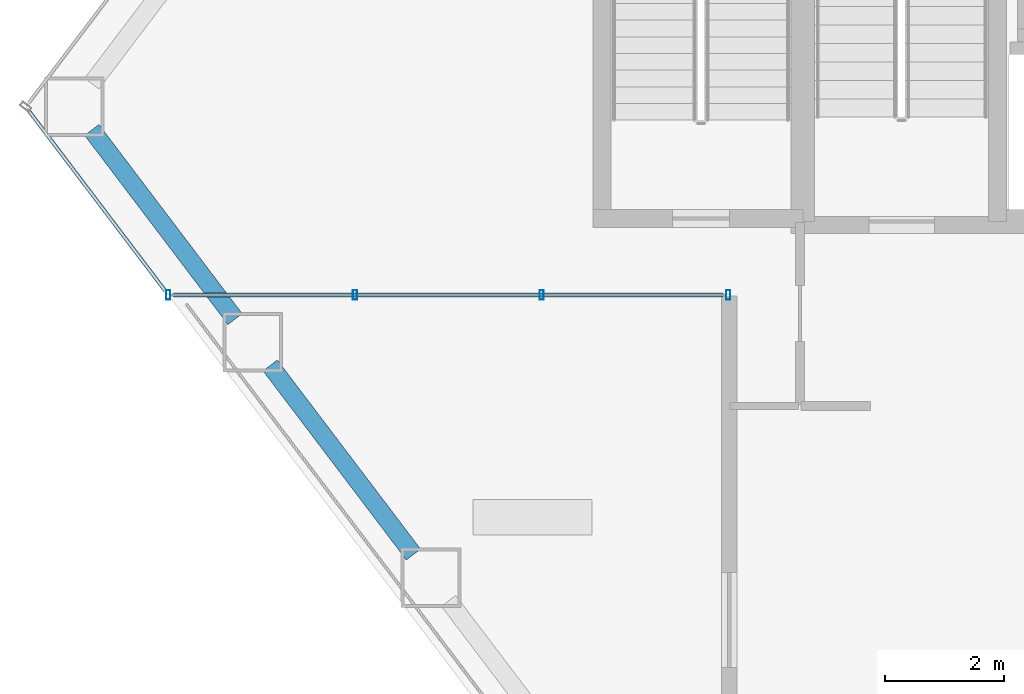
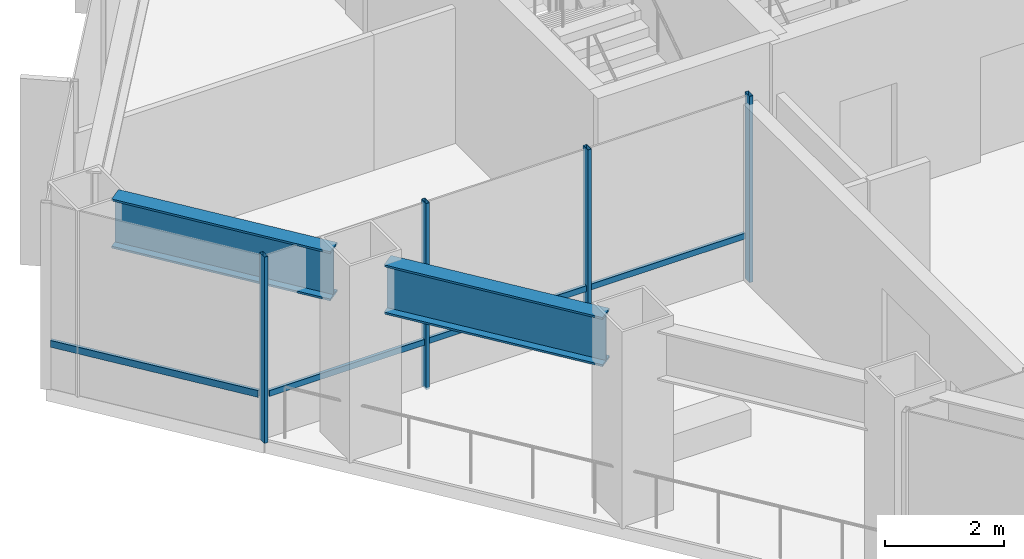
# One storey, part 3 of 24: 6 members, 2 beams, 2 elements without a shape of their own.
"""IFC4 building model written with IfcOpenShell, lengths in metres."""

from ifc_helpers import new_model, si_unit, direction, frame, origin, origin_2d, place, context, subcontext, project, spatial, hollow_rectangle, i_section, extrude, material, layer, layer_set, material_profile, profile_set, type_object, element, aggregate, save


model = new_model("IFC4")

# Units and contexts
model_context = context("Model", 3, precision=1e-05, world=origin(), true_north=direction((0.0, 1.0)))
body_context = subcontext(model_context, "Body", "Model", "MODEL_VIEW")
ifc_project = project(units=[si_unit("LENGTHUNIT", "METRE"), si_unit("AREAUNIT", "SQUARE_METRE"), si_unit("VOLUMEUNIT", "CUBIC_METRE"), si_unit("PLANEANGLEUNIT", "RADIAN"), si_unit("MASSUNIT", "GRAM", prefix="KILO")], contexts=[model_context])

# Site, building, storey
site_placement = place(None, origin())
site = spatial("IfcSite", under=ifc_project, at=site_placement, CompositionType="ELEMENT")
building_placement = place(site_placement, origin())
building = spatial("IfcBuilding", under=site, at=building_placement, Name="Zarrinselat Tower", CompositionType="ELEMENT")
storey_placement = place(building_placement, frame((0.0, 0.0, 64.260009765625)))
storey = spatial("IfcBuildingStorey", under=building, at=storey_placement, Name="L15", CompositionType="ELEMENT", Elevation=64.260009765625)

# Beams
ifc_material_1 = material(Name="Steel S460M", Category="steel")
ifc_material_profile_1 = material_profile(ifc_material_1, i_section(OverallWidth=0.302001953125, OverallDepth=1.008056640625, WebThickness=0.02099609375, FlangeThickness=0.0400390625, at=origin_2d()), Name="HEM 1000")
ifc_profile_set_1 = profile_set([ifc_material_profile_1], Name="Steel S460M")
beam_type = type_object("IfcBeamType", Name="BM-HEM1000", PredefinedType="BEAM", material=ifc_profile_set_1)
for number, where, z_axis, x_axis, name in (
    (1, (16.65869140625, 34.785888671875, 3.31591796875), (0.603864764973, -0.797086786758, 0.0), (0.797086786758, 0.603864764973, 0.0), "L15 Perimeter Spandrel Girder SP06"),
    (2, (19.65478515625, 30.831298828125, 3.31591796875), (0.603864764973, -0.797086786758, 0.0), (0.797086786758, 0.603864764973, 0.0), "L15 Perimeter Spandrel Girder SP07"),
):
    element("IfcBeam", number, at=place(storey_placement, frame(where, z_axis=z_axis, x_axis=x_axis)), inside=storey, type_object=beam_type, Name=name, PredefinedType="BEAM", context=body_context, shape_type="SweptSolid", body=[
        extrude(i_section(OverallWidth=0.302001953125, OverallDepth=1.008056640625, WebThickness=0.02099609375, FlangeThickness=0.0400390625, at=origin_2d()), origin(), (0.0, 0.0, 1.0), 3.985107421875),
    ])

# Curtain wall, members
ifc_material_2 = material(Name="Extruded Aluminium Alloy EN AW-6063 T6", Category="aluminium")
ifc_layer_1 = layer(ifc_material_2, 0.18994140625)
ifc_layer_set_1 = layer_set([ifc_layer_1], Name="Extruded Aluminium Alloy EN AW-6063 T6")
curtain_wall_type_1 = type_object("IfcCurtainWallType", Name="CWS-SG", PredefinedType="NOTDEFINED", material=ifc_layer_set_1)
curtain_wall_1_placement = place(storey_placement, origin())
curtain_wall_1 = element("IfcCurtainWall", 3, at=curtain_wall_1_placement, inside=storey, type_object=curtain_wall_type_1, Name="L15 Unitised Curtain Wall CW-L15-E41", PredefinedType="NOTDEFINED")
ifc_material_3 = material(Name="Extruded Aluminium Alloy EN AW-6063 T6", Category="aluminium")
ifc_material_profile_2 = material_profile(ifc_material_3, hollow_rectangle(XDim=0.070068359375, YDim=0.159912109375, WallThickness=0.00390625, at=origin_2d()), Name="RHS 160x70x4")
ifc_profile_set_2 = profile_set([ifc_material_profile_2], Name="Extruded Aluminium Alloy EN AW-6063 T6")
member_type_1 = type_object("IfcMemberType", Name="MEM-CW-MUL2", PredefinedType="MULLION", material=ifc_profile_set_2)
member_1_placement = place(storey_placement, frame((27.3486328125, 32.014892578125, 0.0), z_axis=(0.0, 0.0, 1.0), x_axis=(-1.0, 0.0, 0.0)))
member_1 = element("IfcMember", 4, at=member_1_placement, type_object=member_type_1, Name="CW-L15-E41 Mullion 0", PredefinedType="MULLION", context=body_context, shape_type="SweptSolid", body=[
    extrude(hollow_rectangle(XDim=0.070068359375, YDim=0.159912109375, WallThickness=0.00390625, at=origin_2d()), origin(), (0.0, 0.0, 1.0), 3.820068359375),
])
member_2_placement = place(storey_placement, frame((24.213134765625, 32.014892578125, 0.0), z_axis=(0.0, 0.0, 1.0), x_axis=(-1.0, 0.0, 0.0)))
member_2 = element("IfcMember", 5, at=member_2_placement, type_object=member_type_1, Name="CW-L15-E41 Mullion 1", PredefinedType="MULLION", context=body_context, shape_type="SweptSolid", body=[
    extrude(hollow_rectangle(XDim=0.070068359375, YDim=0.159912109375, WallThickness=0.00390625, at=origin_2d()), origin(), (0.0, 0.0, 1.0), 3.820068359375),
])
member_3_placement = place(storey_placement, frame((21.077880859375, 32.014892578125, 0.0), z_axis=(0.0, 0.0, 1.0), x_axis=(-1.0, 0.0, 0.0)))
member_3 = element("IfcMember", 6, at=member_3_placement, type_object=member_type_1, Name="CW-L15-E41 Mullion 2", PredefinedType="MULLION", context=body_context, shape_type="SweptSolid", body=[
    extrude(hollow_rectangle(XDim=0.070068359375, YDim=0.159912109375, WallThickness=0.00390625, at=origin_2d()), origin(), (0.0, 0.0, 1.0), 3.820068359375),
])
member_4_placement = place(storey_placement, frame((17.9423828125, 32.014892578125, 0.0), z_axis=(0.0, 0.0, 1.0), x_axis=(-1.0, 0.0, 0.0)))
member_4 = element("IfcMember", 7, at=member_4_placement, type_object=member_type_1, Name="CW-L15-E41 Mullion 3", PredefinedType="MULLION", context=body_context, shape_type="SweptSolid", body=[
    extrude(hollow_rectangle(XDim=0.070068359375, YDim=0.159912109375, WallThickness=0.00390625, at=origin_2d()), origin(), (0.0, 0.0, 1.0), 3.820068359375),
])

# Curtain wall, member
ifc_material_4 = material(Name="Extruded Aluminium Alloy EN AW-6063 T6", Category="aluminium")
ifc_layer_2 = layer(ifc_material_4, 0.18505859375)
ifc_layer_set_2 = layer_set([ifc_layer_2], Name="Extruded Aluminium Alloy EN AW-6063 T6")
curtain_wall_type_2 = type_object("IfcCurtainWallType", Name="CWS-OFF", PredefinedType="NOTDEFINED", material=ifc_layer_set_2)
curtain_wall_2_placement = place(storey_placement, origin())
curtain_wall_2 = element("IfcCurtainWall", 8, at=curtain_wall_2_placement, inside=storey, type_object=curtain_wall_type_2, Name="L15 Unitised Curtain Wall CW-L15-E42", PredefinedType="NOTDEFINED")
ifc_material_5 = material(Name="Extruded Aluminium Alloy EN AW-6063 T6", Category="aluminium")
ifc_material_profile_3 = material_profile(ifc_material_5, hollow_rectangle(XDim=0.06005859375, YDim=0.139892578125, WallThickness=0.00390625, at=origin_2d()), Name="RHS 140x60x4")
ifc_profile_set_3 = profile_set([ifc_material_profile_3], Name="Extruded Aluminium Alloy EN AW-6063 T6")
member_type_2 = type_object("IfcMemberType", Name="MEM-CW-TRN", PredefinedType="USERDEFINED", material=ifc_profile_set_3)
member_5_placement = place(storey_placement, frame((17.88818359375, 32.086669921875, 0.949951171875), z_axis=(-0.603873834076, 0.797079916018, 0.0), x_axis=(-0.797079916018, -0.603873834076, 0.0)))
member_5 = element("IfcMember", 9, at=member_5_placement, type_object=member_type_2, Name="CW-L15-E42 Transom 1", ObjectType="TRANSOM", PredefinedType="USERDEFINED", context=body_context, shape_type="SweptSolid", body=[
    extrude(hollow_rectangle(XDim=0.06005859375, YDim=0.139892578125, WallThickness=0.00390625, at=origin_2d()), origin(), (0.0, 0.0, 1.0), 3.78466796875),
])
aggregate(curtain_wall_2, [member_5])

# Member
ifc_material_6 = material(Name="Extruded Aluminium Alloy EN AW-6063 T6", Category="aluminium")
ifc_material_profile_4 = material_profile(ifc_material_6, hollow_rectangle(XDim=0.06005859375, YDim=0.1201171875, WallThickness=0.00390625, at=origin_2d()), Name="RHS 120x60x4")
ifc_profile_set_4 = profile_set([ifc_material_profile_4], Name="Extruded Aluminium Alloy EN AW-6063 T6")
member_type_3 = type_object("IfcMemberType", Name="MEM-CW-TRN2", PredefinedType="USERDEFINED", material=ifc_profile_set_4)
member_6_placement = place(storey_placement, frame((27.258544921875, 32.014892578125, 0.949951171875), z_axis=(-1.0, 0.0, 0.0), x_axis=(0.0, -1.0, 0.0)))
member_6 = element("IfcMember", 10, at=member_6_placement, type_object=member_type_3, Name="CW-L15-E41 Transom 1", ObjectType="TRANSOM", PredefinedType="USERDEFINED", context=body_context, shape_type="SweptSolid", body=[
    extrude(hollow_rectangle(XDim=0.06005859375, YDim=0.1201171875, WallThickness=0.00390625, at=origin_2d()), origin(), (0.0, 0.0, 1.0), 9.22607421875),
])

aggregate(curtain_wall_1, [member_1, member_2, member_3, member_4, member_6])

save(model, "model.ifc")
